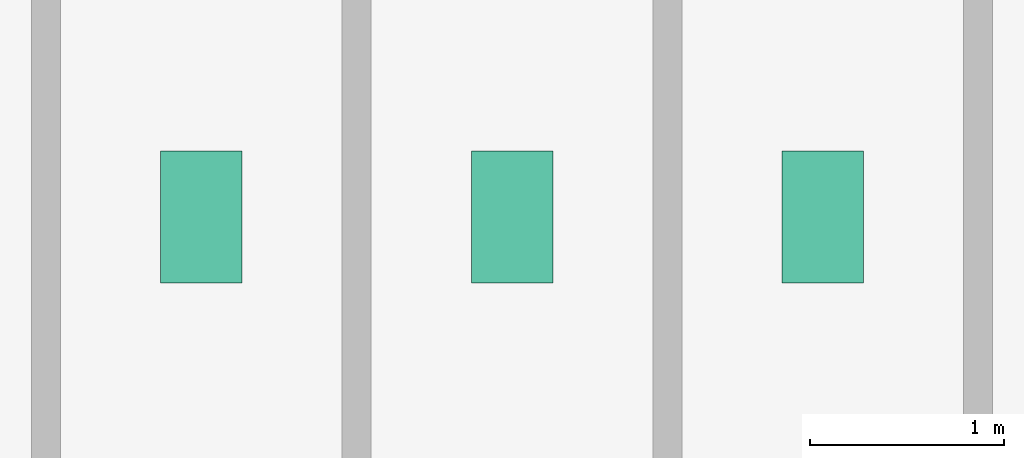
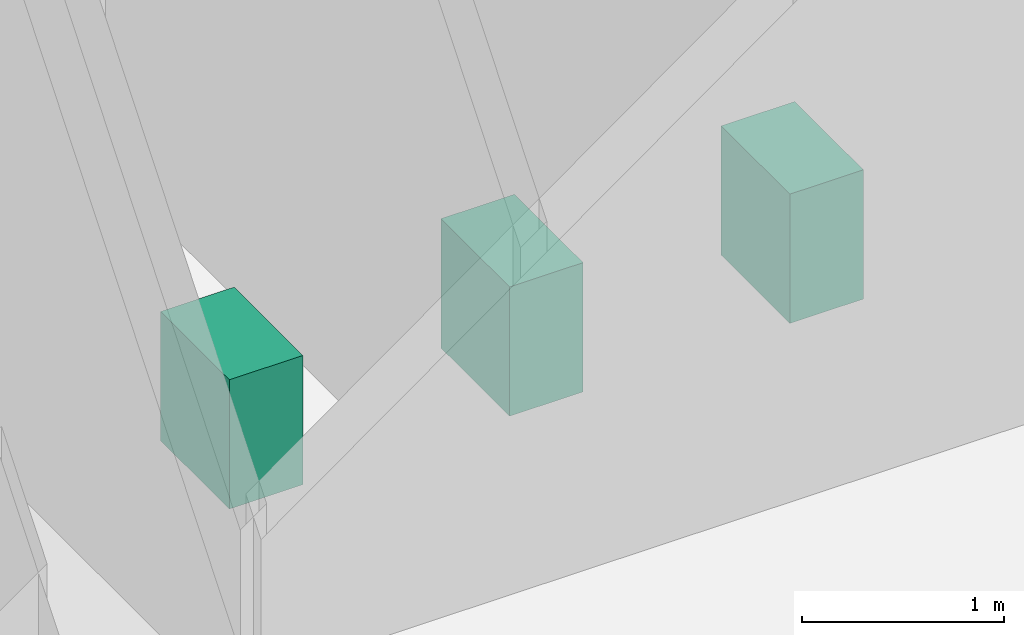
# One storey, part 26 of 26: 3 sanitary terminals.
"""IFC4 building model written with IfcOpenShell, lengths in metres."""

from ifc_helpers import new_model, si_unit, derived_unit, direction, frame, origin, origin_2d, place, context, subcontext, project, spatial, rectangle, extrude, source, transform, mapped, material, type_object, element, save


model = new_model("IFC4")

# Units and contexts
model_context = context("Model", 3, precision=1e-05, world=origin(), true_north=direction((0.0, 1.0)))
body_context = subcontext(model_context, "Body", "Model", "MODEL_VIEW")
ifc_project = project(units=[si_unit("LENGTHUNIT", "METRE"), si_unit("AREAUNIT", "SQUARE_METRE"), si_unit("VOLUMEUNIT", "CUBIC_METRE"), si_unit("PLANEANGLEUNIT", "RADIAN"), si_unit("MASSUNIT", "GRAM", prefix="KILO"), derived_unit("THERMALTRANSMITTANCEUNIT", [(si_unit("POWERUNIT", "WATT"), 1), (si_unit("LENGTHUNIT", "METRE"), -2), (si_unit("THERMODYNAMICTEMPERATUREUNIT", "KELVIN"), -1)])], contexts=[model_context])

# Site, building, storey
site_placement = place(None, origin())
site = spatial("IfcSite", under=ifc_project, at=site_placement, CompositionType="ELEMENT")
building_placement = place(site_placement, origin())
building = spatial("IfcBuilding", under=site, at=building_placement, Name="Skarnbrae Concourse Arena and Tower", CompositionType="ELEMENT")
storey_placement = place(building_placement, frame((0.0, 0.0, 106.89990234375)))
storey = spatial("IfcBuildingStorey", under=building, at=storey_placement, Name="L26", CompositionType="ELEMENT", Elevation=106.89990234375)

# Sanitary terminals
ifc_material = material(Name="Vitreous china sanitaryware", Category="other")
sanitary_terminal_type = type_object("IfcSanitaryTerminalType", Name="SAN-WC-VITREOUS", PredefinedType="TOILETPAN", material=ifc_material)
shared_shape = source(origin(), body_context, "Body", "SweptSolid", [
    extrude(rectangle(XDim=0.419921875, YDim=0.679931640625, at=origin_2d()), origin(), (0.0, 0.0, 1.0), 0.780029296875),
])
for number, where, z_axis, x_axis, name in (
    (1, (35.0, 11.39990234375, 0.0), (0.0, 0.0, 1.0), (1.0, 0.0, 0.0), "L26 Washroom WC fixture 1"),
    (2, (36.60009765625, 11.39990234375, 0.0), (0.0, 0.0, 1.0), (1.0, 0.0, 0.0), "L26 Washroom WC fixture 2"),
    (3, (38.199951171875, 11.39990234375, 0.0), (0.0, 0.0, 1.0), (1.0, 0.0, 0.0), "L26 Washroom WC fixture 3"),
):
    element("IfcSanitaryTerminal", number, at=place(storey_placement, frame(where, z_axis=z_axis, x_axis=x_axis)), inside=storey, type_object=sanitary_terminal_type, Name=name, PredefinedType="TOILETPAN", context=body_context, shape_type="MappedRepresentation", body=[
        mapped(shared_shape, transform((0.0, 0.0, 0.0))),
    ])

save(model, "model.ifc")
